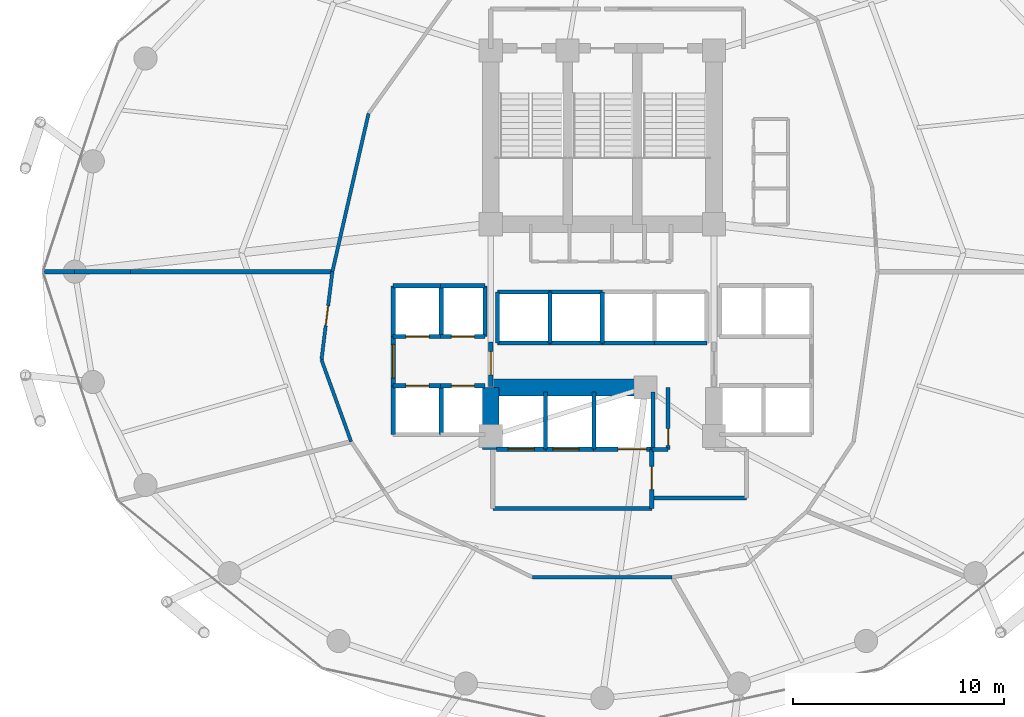
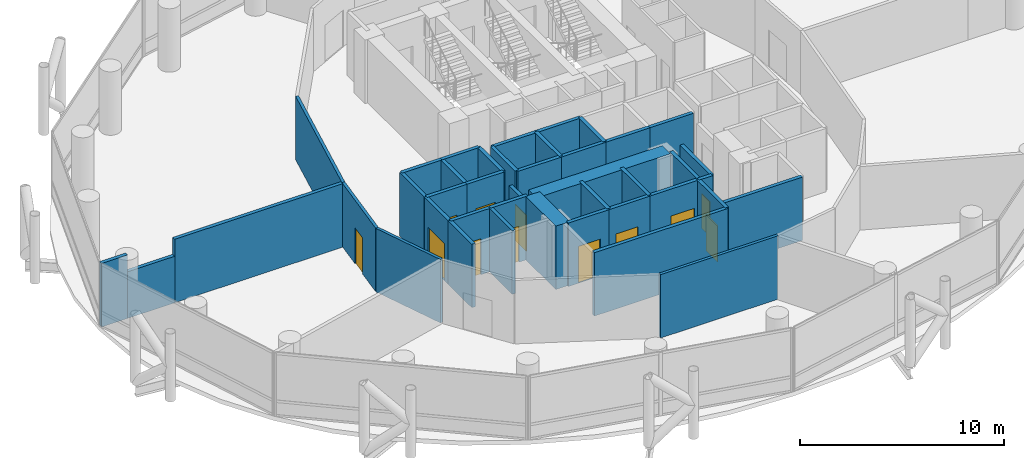
# One storey, part 21 of 24: 42 walls, 12 doors, 12 openings.
"""IFC4 building model written with IfcOpenShell, lengths in metres."""

import ifcopenshell
import ifcopenshell.guid

model = None  # the IFC model being written
_history = None  # IfcOwnerHistory: only IFC2X3 demands one
_inside = {}  # id of a spatial element -> (the spatial element, [elements in it])
_under = {}  # id of a project, library or spatial element -> (it, [spatial elements below it])
_declared = {}  # id of a project -> (the project, [libraries it declares])
_typed = {}  # id of a type object -> (the type object, [elements of that type])
_made_of = {}  # id of a material, layer set ... -> (it, [elements and type objects made of it])


def new_model(schema):
    """Start an empty IFC model of exactly this schema.

    Asked for "IFC4X3", IfcOpenShell would pick the latest addendum, in which some entities
    have other attributes; the version numbers below select the first issue.
    IFC2X3 requires an IfcOwnerHistory on every rooted entity: one is made here for all.
    """
    global model, _history
    if schema == "IFC4X3":
        model = ifcopenshell.file(schema_version=(4, 3, 0, 0))
    else:
        model = ifcopenshell.file(schema=schema)
    _inside.clear()
    _under.clear()
    _declared.clear()
    _typed.clear()
    _made_of.clear()
    _history = None
    if model.schema == "IFC2X3":
        org = make("IfcOrganization", Name="unknown")
        user = make(
            "IfcPersonAndOrganization",
            ThePerson=make("IfcPerson", FamilyName="unknown"),
            TheOrganization=org,
        )
        app = make(
            "IfcApplication",
            ApplicationDeveloper=org,
            Version="unknown",
            ApplicationFullName="unknown",
            ApplicationIdentifier="unknown",
        )
        _history = make(
            "IfcOwnerHistory",
            OwningUser=user,
            OwningApplication=app,
            ChangeAction="ADDED",
            CreationDate=0,
        )
    return model


def make(cls, **values):
    """One entity of the class cls with the attributes given. An attribute that is None is left unset."""
    return model.create_entity(
        cls, **{name: value for name, value in values.items() if value is not None}
    )


def rooted(cls, **values):
    """An entity with a GlobalId (a new one), such as an element, a storey or a relation."""
    return make(cls, GlobalId=ifcopenshell.guid.new(), OwnerHistory=_history, **values)


def si_unit(unit_type, name, prefix=None):
    """IfcSIUnit, for example si_unit("LENGTHUNIT", "METRE", prefix="MILLI")."""
    return make("IfcSIUnit", UnitType=unit_type, Prefix=prefix, Name=name)


def assignment(units):
    """IfcUnitAssignment: the units of a project."""
    return None if units is None else make("IfcUnitAssignment", Units=units)


def point(xyz):
    """IfcCartesianPoint."""
    return None if xyz is None else make("IfcCartesianPoint", Coordinates=xyz)


def direction(xyz):
    """IfcDirection."""
    return None if xyz is None else make("IfcDirection", DirectionRatios=xyz)


def frame(location, z_axis=None, x_axis=None):
    """IfcAxis2Placement3D, a coordinate frame: its origin and axes. An axis left out is left unset."""
    return make(
        "IfcAxis2Placement3D",
        Location=point(location),
        Axis=direction(z_axis),
        RefDirection=direction(x_axis),
    )


def frame_2d(location, x_axis=None):
    """IfcAxis2Placement2D, a coordinate frame in the plane: its origin and x axis."""
    return make(
        "IfcAxis2Placement2D", Location=point(location), RefDirection=direction(x_axis)
    )


def origin():
    """The frame at (0, 0, 0) with its axes left unset."""
    return frame((0.0, 0.0, 0.0))


def place(relative_to, where):
    """IfcLocalPlacement: puts the frame where relative to a parent placement (None: the world)."""
    return make(
        "IfcLocalPlacement", PlacementRelTo=relative_to, RelativePlacement=where
    )


def context(
    kind, dimensions, precision=None, world=None, true_north=None, identifier=None
):
    """IfcGeometricRepresentationContext, for example the 3D "Model" context."""
    return make(
        "IfcGeometricRepresentationContext",
        ContextIdentifier=identifier,
        ContextType=kind,
        CoordinateSpaceDimension=dimensions,
        Precision=precision,
        WorldCoordinateSystem=world,
        TrueNorth=true_north,
    )


def subcontext(parent, identifier, kind, view, scale=None):
    """IfcGeometricRepresentationSubContext, for example "Body" below "Model"."""
    return make(
        "IfcGeometricRepresentationSubContext",
        ContextIdentifier=identifier,
        ContextType=kind,
        ParentContext=parent,
        TargetScale=scale,
        TargetView=view,
    )


def project(units=None, contexts=None):
    """IfcProject with its units and contexts."""
    return rooted(
        "IfcProject",
        Name="project",
        RepresentationContexts=contexts,
        UnitsInContext=assignment(units),
    )


def spatial(cls, under=None, at=None, **own):
    """A site, building, storey or space (cls), placed at a placement, below another one or the project."""
    s = rooted(cls, ObjectPlacement=at, **own)
    if under is not None:
        _under.setdefault(under.id(), (under, []))[1].append(s)
    return s


def profile(cls, at=None, kind="AREA", **sizes):
    """A parametric profile (cls). Its sizes go by their IFC names, for example OverallWidth=200.0."""
    return make(cls, ProfileType=kind, Position=at, **sizes)


def rectangle(**sizes):
    """IfcRectangleProfileDef."""
    return profile("IfcRectangleProfileDef", **sizes)


def extrude(swept, where, along, depth):
    """IfcExtrudedAreaSolid: the profile swept, set in the frame where, extruded along a direction by depth."""
    return make(
        "IfcExtrudedAreaSolid",
        SweptArea=swept,
        Position=where,
        ExtrudedDirection=direction(along),
        Depth=depth,
    )


def shape(context_of_items, identifier, shape_type, items):
    """IfcShapeRepresentation: the items that make up one representation, for example the "Body"."""
    return make(
        "IfcShapeRepresentation",
        ContextOfItems=context_of_items,
        RepresentationIdentifier=identifier,
        RepresentationType=shape_type,
        Items=items,
    )


def material(Name=None, Category=None):
    """IfcMaterial."""
    return make("IfcMaterial", Name=Name, Category=Category)


def layer(
    of_material, thickness, ventilated=None, Name=None, Category=None, Priority=None
):
    """IfcMaterialLayer: one layer of a wall or slab, of a material (None: an air gap)."""
    return make(
        "IfcMaterialLayer",
        Material=of_material,
        LayerThickness=thickness,
        IsVentilated=ventilated,
        Name=Name,
        Category=Category,
        Priority=Priority,
    )


def layer_set(layers, Name=None):
    """IfcMaterialLayerSet."""
    return make("IfcMaterialLayerSet", MaterialLayers=layers, LayerSetName=Name)


def made_of(thing, what):
    """Note that an element or type object is made of a material, layer set ...; save() writes the relation."""
    if what is not None:
        _made_of.setdefault(what.id(), (what, []))[1].append(thing)
    return thing


def type_object(cls, material=None, **own):
    """A type object (cls), such as IfcWallType, which elements share."""
    return made_of(rooted(cls, **own), material)


def element(
    cls,
    number,
    at=None,
    inside=None,
    cuts=None,
    type_object=None,
    material=None,
    context=None,
    identifier="Body",
    shape_type=None,
    held_by="IfcProductDefinitionShape",
    body=None,
    shapes=None,
    **own,
):
    """One element of the class cls, such as IfcWall. Its Tag is "e" and its number.

    at: its placement. inside: the storey or other place that contains it. cuts: it is an
    opening in that element (IfcRelVoidsElement). A single representation is given by context,
    identifier, shape_type and body (its items); several are given by shapes. held_by: the class
    of the entity that holds the representations. save() writes the other relations.
    """
    e = rooted(cls, Tag="e%d" % number, ObjectPlacement=at, **own)
    if body is not None:
        shapes = [shape(context, identifier, shape_type, body)]
    if shapes is not None:
        e.Representation = make(held_by, Representations=shapes)
    if inside is not None:
        _inside.setdefault(inside.id(), (inside, []))[1].append(e)
    if cuts is not None:
        rooted(
            "IfcRelVoidsElement", RelatingBuildingElement=cuts, RelatedOpeningElement=e
        )
    if type_object is not None:
        _typed.setdefault(type_object.id(), (type_object, []))[1].append(e)
    return made_of(e, material)


def fill(opening, filler):
    """IfcRelFillsElement: the door or window that sits in an opening."""
    return rooted(
        "IfcRelFillsElement",
        RelatingOpeningElement=opening,
        RelatedBuildingElement=filler,
    )


def aggregate(whole, parts):
    """IfcRelAggregates: a whole, such as a stair, and the parts it consists of."""
    return rooted("IfcRelAggregates", RelatingObject=whole, RelatedObjects=parts)


def save(model, path):
    """Write the relations noted so far, then the file.

    IfcRelAggregates (storeys below a building ...), IfcRelContainedInSpatialStructure (elements
    in a storey), IfcRelDefinesByType, IfcRelAssociatesMaterial and IfcRelDeclares: one each for
    every whole, place, type object, material and project.
    """
    for whole, parts in _under.values():
        aggregate(whole, parts)
    for where, things in _inside.values():
        rooted(
            "IfcRelContainedInSpatialStructure",
            RelatedElements=things,
            RelatingStructure=where,
        )
    for kind, things in _typed.values():
        rooted("IfcRelDefinesByType", RelatedObjects=things, RelatingType=kind)
    for what, things in _made_of.values():
        rooted("IfcRelAssociatesMaterial", RelatedObjects=things, RelatingMaterial=what)
    for by, libraries in _declared.values():
        rooted("IfcRelDeclares", RelatingContext=by, RelatedDefinitions=libraries)
    model.write(path)


model = new_model("IFC4")

# Units and contexts
model_context = context("Model", 3, precision=1e-05, world=origin(), true_north=direction((0.0, 1.0)))
body_context = subcontext(model_context, "Body", "Model", "MODEL_VIEW")
ifc_project = project(units=[si_unit("LENGTHUNIT", "METRE"), si_unit("AREAUNIT", "SQUARE_METRE"), si_unit("VOLUMEUNIT", "CUBIC_METRE"), si_unit("PLANEANGLEUNIT", "RADIAN"), si_unit("MASSUNIT", "GRAM", prefix="KILO")], contexts=[model_context])

# Site, building, storey
site_placement = place(None, origin())
site = spatial("IfcSite", under=ifc_project, at=site_placement, CompositionType="ELEMENT")
building_placement = place(site_placement, origin())
building = spatial("IfcBuilding", under=site, at=building_placement, Name="Nuhasar Tower", CompositionType="ELEMENT")
storey_placement = place(building_placement, frame((0.0, 0.0, 25.050048828125)))
storey = spatial("IfcBuildingStorey", under=building, at=storey_placement, Name="L05", CompositionType="ELEMENT", Elevation=25.050048828125)

# Walls
ifc_material_1 = material(Name="Concrete C80/95", Category="concrete")
ifc_layer_1 = layer(ifc_material_1, 0.800048828125)
ifc_layer_set_1 = layer_set([ifc_layer_1], Name="Concrete C80/95")
wall_type_1 = type_object("IfcWallType", Name="WL-CORE-800", PredefinedType="SHEAR", material=ifc_layer_set_1)
wall_1_placement = place(storey_placement, frame((33.699951171875, 18.35009765625, 0.0), z_axis=(0.0, 0.0, 1.0), x_axis=(0.0, 1.0, 0.0)))
element("IfcWall", 1, at=wall_1_placement, inside=storey, type_object=wall_type_1, Name="L05 Core Shear Wall CW-SW CW-800", PredefinedType="SHEAR", context=body_context, shape_type="SweptSolid", body=[
    extrude(rectangle(XDim=2.949951171875, YDim=0.800048828125, at=frame_2d((1.47509765625, 0.0))), origin(), (0.0, 0.0, 1.0), 3.7900390625),
])
wall_2_placement = place(storey_placement, frame((33.699951171875, 21.300048828125, 0.0), z_axis=(0.0, 0.0, 1.0), x_axis=(1.0, 0.0, 0.0)))
element("IfcWall", 2, at=wall_2_placement, inside=storey, type_object=wall_type_1, Name="L05 Core Shear Wall CW-S1 CW-800", PredefinedType="SHEAR", context=body_context, shape_type="SweptSolid", body=[
    extrude(rectangle(XDim=7.550048828125, YDim=0.800048828125, at=frame_2d((3.77490234375, 0.0))), origin(), (0.0, 0.0, 1.0), 3.7900390625),
])
ifc_material_2 = material(Name="Gypsum Board", Category="gypsum")
ifc_layer_2 = layer(ifc_material_2, 0.159912109375)
ifc_layer_set_2 = layer_set([ifc_layer_2], Name="Gypsum Board")
wall_type_2 = type_object("IfcWallType", Name="WL-CORR-160", PredefinedType="PARTITIONING", material=ifc_layer_set_2)
wall_3_placement = place(storey_placement, frame((27.89794921875, 34.31005859375, 0.0), z_axis=(0.0, 0.0, 1.0), x_axis=(-0.223002916051, -0.974817777553, 0.0)))
element("IfcWall", 3, at=wall_3_placement, inside=storey, type_object=wall_type_2, Name="L05 Interior Partition CORR-20", PredefinedType="PARTITIONING", context=body_context, shape_type="SweptSolid", body=[
    extrude(rectangle(XDim=7.7041015625, YDim=0.159912109375, at=frame_2d((3.85205078125, 0.0))), origin(), (0.0, 0.0, 1.0), 3.7900390625),
])

# Wall, opening, door
wall_4_placement = place(storey_placement, frame((25.6630859375, 22.614013671875, 0.0), z_axis=(0.0, 0.0, 1.0), x_axis=(0.122538537921, 0.992463755874, 0.0)))
wall_4 = element("IfcWall", 4, at=wall_4_placement, inside=storey, type_object=wall_type_2, Name="L05 Interior Partition CORR-24", PredefinedType="PARTITIONING", context=body_context, shape_type="SweptSolid", body=[
    extrude(rectangle(XDim=4.2177734375, YDim=0.159912109375, at=frame_2d((2.10888671875, 0.0))), origin(), (0.0, 0.0, 1.0), 3.7900390625),
])
opening_1_placement = place(wall_4_placement, frame((1.634033203125, 0.0, 0.0)))
opening_1 = element("IfcOpeningElement", 5, at=opening_1_placement, cuts=wall_4, Name="Opening DO-01", PredefinedType="OPENING", context=body_context, shape_type="SweptSolid", body=[
    extrude(rectangle(XDim=0.949951171875, YDim=2.14990234375, at=frame_2d((0.47509765625, 1.074951171875))), frame((0.0, 0.08984375, 0.0), z_axis=(0.0, -1.0, 0.0), x_axis=(1.0, 0.0, 0.0)), (0.0, 0.0, 1.0), 0.179931640625),
])
ifc_material_3 = material(Name="Timber Oak", Category="wood")
door_type_1 = type_object("IfcDoorType", Name="DR-OFFICE-FD30-950", OperationType="NOTDEFINED", PredefinedType="DOOR", material=ifc_material_3)
door_1_placement = place(opening_1_placement, origin())
door_1 = element("IfcDoor", 6, at=door_1_placement, inside=storey, type_object=door_type_1, Name="L05 Staff Bistro Pantry Entry Door", OperationType="SINGLE_SWING_LEFT", OverallHeight=2.14990234375, OverallWidth=0.949951171875, PredefinedType="DOOR", context=body_context, shape_type="SweptSolid", body=[
    extrude(rectangle(XDim=0.949951171875, YDim=2.14990234375, at=frame_2d((0.47509765625, 1.074951171875))), frame((0.0, 0.02490234375, 0.0), z_axis=(0.0, -1.0, 0.0), x_axis=(1.0, 0.0, 0.0)), (0.0, 0.0, 1.0), 0.050048828125),
])
fill(opening_1, door_1)

# Walls
wall_5_placement = place(storey_placement, frame((25.6630859375, 22.614013671875, 0.0), z_axis=(0.0, 0.0, 1.0), x_axis=(0.34058972089, -0.940212019719, 0.0)))
element("IfcWall", 7, at=wall_5_placement, inside=storey, type_object=wall_type_2, Name="L05 Interior Partition CORR-26", PredefinedType="PARTITIONING", context=body_context, shape_type="SweptSolid", body=[
    extrude(rectangle(XDim=4.131103515625, YDim=0.159912109375, at=frame_2d((2.0654296875, 0.0))), origin(), (0.0, 0.0, 1.0), 3.7900390625),
])
wall_6_placement = place(storey_placement, frame((35.681884765625, 12.2919921875, 0.0), z_axis=(0.0, 0.0, 1.0), x_axis=(1.0, 0.0, 0.0)))
element("IfcWall", 8, at=wall_6_placement, inside=storey, type_object=wall_type_2, Name="L05 Interior Partition CORR-34", PredefinedType="PARTITIONING", context=body_context, shape_type="SweptSolid", body=[
    extrude(rectangle(XDim=6.63623046875, YDim=0.159912109375, at=frame_2d((3.318115234375, 0.0))), origin(), (0.0, 0.0, 1.0), 3.7900390625),
])

# Wall, opening, door
ifc_material_4 = material(Name="Concrete C45/55", Category="concrete")
ifc_layer_3 = layer(ifc_material_4, 0.199951171875)
ifc_layer_set_3 = layer_set([ifc_layer_3], Name="Concrete C45/55")
wall_type_3 = type_object("IfcWallType", Name="WL-LOBBY-200", PredefinedType="SOLIDWALL", material=ifc_layer_set_3)
wall_7_placement = place(storey_placement, frame((29.070068359375, 21.3798828125, 0.0), z_axis=(0.0, 0.0, 1.0), x_axis=(0.0, 1.0, 0.0)))
wall_7 = element("IfcWall", 9, at=wall_7_placement, inside=storey, type_object=wall_type_3, Name="L05 Interior Partition LLBL-W", PredefinedType="SOLIDWALL", context=body_context, shape_type="SweptSolid", body=[
    extrude(rectangle(XDim=2.340087890625, YDim=0.199951171875, at=frame_2d((1.169921875, 0.0))), origin(), (0.0, 0.0, 1.0), 3.7900390625),
])
opening_2_placement = place(wall_7_placement, frame((0.3701171875, 0.0, 0.0)))
opening_2 = element("IfcOpeningElement", 10, at=opening_2_placement, cuts=wall_7, Name="Opening DC-01", PredefinedType="OPENING", context=body_context, shape_type="SweptSolid", body=[
    extrude(rectangle(XDim=1.60009765625, YDim=2.199951171875, at=frame_2d((0.800048828125, 1.10009765625))), frame((0.0, 0.10986328125, 0.0), z_axis=(0.0, -1.0, 0.0), x_axis=(1.0, 0.0, 0.0)), (0.0, 0.0, 1.0), 0.219970703125),
])
ifc_material_5 = material(Name="Steel S355", Category="steel")
door_type_2 = type_object("IfcDoorType", Name="DR-CORR-FD60-1600", OperationType="DOUBLE_DOOR_SINGLE_SWING", PredefinedType="DOOR", material=ifc_material_5)
door_2_placement = place(opening_2_placement, origin())
door_2 = element("IfcDoor", 11, at=door_2_placement, inside=storey, type_object=door_type_2, Name="L05 Low-Rise Lift Lobby West Entry", OperationType="DOUBLE_DOOR_SINGLE_SWING", OverallHeight=2.199951171875, OverallWidth=1.60009765625, PredefinedType="DOOR", context=body_context, shape_type="SweptSolid", body=[
    extrude(rectangle(XDim=1.60009765625, YDim=2.199951171875, at=frame_2d((0.800048828125, 1.10009765625))), frame((0.0, 0.02490234375, 0.0), z_axis=(0.0, -1.0, 0.0), x_axis=(1.0, 0.0, 0.0)), (0.0, 0.0, 1.0), 0.050048828125),
])
fill(opening_2, door_2)

wall_8_placement = place(storey_placement, frame((33.699951171875, 21.35009765625, 0.0), z_axis=(0.0, 0.0, 1.0), x_axis=(0.0, 1.0, 0.0)))
wall_8 = element("IfcWall", 12, at=wall_8_placement, inside=storey, type_object=wall_type_3, Name="L05 Interior Partition LLBH-W", PredefinedType="SOLIDWALL", context=body_context, shape_type="SweptSolid", body=[
    extrude(rectangle(XDim=2.099853515625, YDim=0.199951171875, at=frame_2d((1.0498046875, 0.0))), origin(), (0.0, 0.0, 1.0), 3.010009765625),
])
opening_3_placement = place(wall_8_placement, frame((0.550048828125, 0.0, 0.0)))
opening_3 = element("IfcOpeningElement", 13, at=opening_3_placement, cuts=wall_8, Name="Opening DS-02", PredefinedType="OPENING", context=body_context, shape_type="SweptSolid", body=[
    extrude(rectangle(XDim=1.10009765625, YDim=2.14990234375, at=frame_2d((0.550048828125, 1.074951171875))), frame((0.0, 0.10986328125, 0.0), z_axis=(0.0, -1.0, 0.0), x_axis=(1.0, 0.0, 0.0)), (0.0, 0.0, 1.0), 0.219970703125),
])
door_type_3 = type_object("IfcDoorType", Name="DR-FFL-FD120-1100", OperationType="NOTDEFINED", PredefinedType="DOOR", material=ifc_material_5)
door_3_placement = place(opening_3_placement, origin())
door_3 = element("IfcDoor", 14, at=door_3_placement, inside=storey, type_object=door_type_3, Name="L05 High-Rise Lobby West Door", OperationType="SINGLE_SWING_RIGHT", OverallHeight=2.14990234375, OverallWidth=1.10009765625, PredefinedType="DOOR", context=body_context, shape_type="SweptSolid", body=[
    extrude(rectangle(XDim=1.10009765625, YDim=2.14990234375, at=frame_2d((0.550048828125, 1.074951171875))), frame((0.0, 0.02490234375, 0.0), z_axis=(0.0, -1.0, 0.0), x_axis=(1.0, 0.0, 0.0)), (0.0, 0.0, 1.0), 0.050048828125),
])
fill(opening_3, door_3)

# Wall
wall_9_placement = place(storey_placement, frame((33.800048828125, 15.550048828125, 0.0), z_axis=(0.0, 0.0, 1.0), x_axis=(1.0, 0.0, 0.0)))
element("IfcWall", 15, at=wall_9_placement, inside=storey, type_object=wall_type_3, Name="L05 Interior Partition FFL-S", PredefinedType="SOLIDWALL", context=body_context, shape_type="SweptSolid", body=[
    extrude(rectangle(XDim=7.550048828125, YDim=0.199951171875, at=frame_2d((3.77490234375, 0.0))), origin(), (0.0, 0.0, 1.0), 3.7900390625),
])

# Wall, opening, door
wall_10_placement = place(storey_placement, frame((41.35009765625, 15.550048828125, 0.0), z_axis=(0.0, 0.0, 1.0), x_axis=(0.0, 1.0, 0.0)))
wall_10 = element("IfcWall", 16, at=wall_10_placement, inside=storey, type_object=wall_type_3, Name="L05 Interior Partition FFL-E", PredefinedType="SOLIDWALL", context=body_context, shape_type="SweptSolid", body=[
    extrude(rectangle(XDim=2.800048828125, YDim=0.199951171875, at=frame_2d((1.39990234375, 0.0))), origin(), (0.0, 0.0, 1.0), 3.7900390625),
])
opening_4_placement = place(wall_10_placement, frame((0.89990234375, 0.0, 0.0)))
opening_4 = element("IfcOpeningElement", 17, at=opening_4_placement, cuts=wall_10, Name="Opening DS-02", PredefinedType="OPENING", context=body_context, shape_type="SweptSolid", body=[
    extrude(rectangle(XDim=1.10009765625, YDim=2.14990234375, at=frame_2d((0.550048828125, 1.074951171875))), frame((0.0, 0.10986328125, 0.0), z_axis=(0.0, -1.0, 0.0), x_axis=(1.0, 0.0, 0.0)), (0.0, 0.0, 1.0), 0.219970703125),
])
door_4_placement = place(opening_4_placement, origin())
door_4 = element("IfcDoor", 18, at=door_4_placement, inside=storey, type_object=door_type_3, Name="L05 Firefighting Lobby Door", OperationType="SINGLE_SWING_RIGHT", OverallHeight=2.14990234375, OverallWidth=1.10009765625, PredefinedType="DOOR", context=body_context, shape_type="SweptSolid", body=[
    extrude(rectangle(XDim=1.10009765625, YDim=2.14990234375, at=frame_2d((0.550048828125, 1.074951171875))), frame((0.0, 0.02490234375, 0.0), z_axis=(0.0, -1.0, 0.0), x_axis=(1.0, 0.0, 0.0)), (0.0, 0.0, 1.0), 0.050048828125),
])
fill(opening_4, door_4)

# Wall
wall_11_placement = place(storey_placement, frame((41.35009765625, 16.050048828125, 0.0), z_axis=(0.0, 0.0, 1.0), x_axis=(1.0, 0.0, 0.0)))
element("IfcWall", 19, at=wall_11_placement, inside=storey, type_object=wall_type_3, Name="L05 Interior Partition SVLV-S", PredefinedType="SOLIDWALL", context=body_context, shape_type="SweptSolid", body=[
    extrude(rectangle(XDim=4.5, YDim=0.199951171875, at=frame_2d((2.25, 0.0))), origin(), (0.0, 0.0, 1.0), 3.7900390625),
])

# Wall, opening, door
ifc_layer_4 = layer(ifc_material_4, 0.199951171875)
ifc_layer_set_4 = layer_set([ifc_layer_4], Name="Concrete C45/55")
wall_type_4 = type_object("IfcWallType", Name="WL-SHAFT-200", PredefinedType="SOLIDWALL", material=ifc_layer_set_4)
wall_12_placement = place(storey_placement, frame((29.070068359375, 23.719970703125, 0.0), z_axis=(0.0, 0.0, 1.0), x_axis=(1.0, 0.0, 0.0)))
wall_12 = element("IfcWall", 20, at=wall_12_placement, inside=storey, type_object=wall_type_4, Name="L05 Interior Partition SHF-PL-L01-S", PredefinedType="SOLIDWALL", context=body_context, shape_type="SweptSolid", body=[
    extrude(rectangle(XDim=2.309814453125, YDim=0.199951171875, at=frame_2d((1.15478515625, 0.0))), origin(), (0.0, 0.0, 1.0), 3.7900390625),
])
opening_5_placement = place(wall_12_placement, frame((0.60498046875, 0.0, 0.0)))
opening_5 = element("IfcOpeningElement", 21, at=opening_5_placement, cuts=wall_12, Name="Opening LD-L01", PredefinedType="OPENING", context=body_context, shape_type="SweptSolid", body=[
    extrude(rectangle(XDim=1.10009765625, YDim=2.14990234375, at=frame_2d((0.550048828125, 1.074951171875))), frame((0.0, 0.10986328125, 0.0), z_axis=(0.0, -1.0, 0.0), x_axis=(1.0, 0.0, 0.0)), (0.0, 0.0, 1.0), 0.219970703125),
])
ifc_material_6 = material(Name="Stainless Steel 316L", Category="steel")
door_type_4 = type_object("IfcDoorType", Name="LD-PAX-1100", OperationType="DOUBLE_DOOR_SLIDING", PredefinedType="DOOR", material=ifc_material_6)
door_5_placement = place(opening_5_placement, origin())
door_5 = element("IfcDoor", 22, at=door_5_placement, inside=storey, type_object=door_type_4, Name="L05 Lift Landing Door PL-L01", OperationType="DOUBLE_DOOR_SLIDING", OverallHeight=2.14990234375, OverallWidth=1.10009765625, PredefinedType="DOOR", context=body_context, shape_type="SweptSolid", body=[
    extrude(rectangle(XDim=1.10009765625, YDim=2.14990234375, at=frame_2d((0.550048828125, 1.074951171875))), frame((0.0, 0.02490234375, 0.0), z_axis=(0.0, -1.0, 0.0), x_axis=(1.0, 0.0, 0.0)), (0.0, 0.0, 1.0), 0.050048828125),
])
fill(opening_5, door_5)

# Walls
wall_13_placement = place(storey_placement, frame((29.070068359375, 26.1298828125, 0.0), z_axis=(0.0, 0.0, 1.0), x_axis=(1.0, 0.0, 0.0)))
element("IfcWall", 23, at=wall_13_placement, inside=storey, type_object=wall_type_4, Name="L05 Interior Partition SHF-PL-L01-N", PredefinedType="SOLIDWALL", context=body_context, shape_type="SweptSolid", body=[
    extrude(rectangle(XDim=2.309814453125, YDim=0.199951171875, at=frame_2d((1.15478515625, 0.0))), origin(), (0.0, 0.0, 1.0), 3.7900390625),
])
for number, where, z_axis, x_axis, name in (
    (24, (29.070068359375, 23.719970703125, 0.0), (0.0, 0.0, 1.0), (0.0, 1.0, 0.0), "L05 Interior Partition SHF-PL-L01-W"),
    (25, (31.35009765625, 23.719970703125, 0.0), (0.0, 0.0, 1.0), (0.0, 1.0, 0.0), "L05 Interior Partition SHF-PL-L01-E"),
):
    element("IfcWall", number, at=place(storey_placement, frame(where, z_axis=z_axis, x_axis=x_axis)), inside=storey, type_object=wall_type_4, Name=name, PredefinedType="SOLIDWALL", context=body_context, shape_type="SweptSolid", body=[
        extrude(rectangle(XDim=2.409912109375, YDim=0.199951171875, at=frame_2d((1.205078125, 0.0))), origin(), (0.0, 0.0, 1.0), 3.7900390625),
    ])

# Wall, opening, door
wall_14_placement = place(storey_placement, frame((31.320068359375, 23.719970703125, 0.0), z_axis=(0.0, 0.0, 1.0), x_axis=(1.0, 0.0, 0.0)))
wall_14 = element("IfcWall", 26, at=wall_14_placement, inside=storey, type_object=wall_type_4, Name="L05 Interior Partition SHF-PL-L02-S", PredefinedType="SOLIDWALL", context=body_context, shape_type="SweptSolid", body=[
    extrude(rectangle(XDim=2.10986328125, YDim=0.199951171875, at=frame_2d((1.054931640625, 0.0))), origin(), (0.0, 0.0, 1.0), 3.7900390625),
])
opening_6_placement = place(wall_14_placement, frame((0.5048828125, 0.0, 0.0)))
opening_6 = element("IfcOpeningElement", 27, at=opening_6_placement, cuts=wall_14, Name="Opening LD-L02", PredefinedType="OPENING", context=body_context, shape_type="SweptSolid", body=[
    extrude(rectangle(XDim=1.10009765625, YDim=2.14990234375, at=frame_2d((0.550048828125, 1.074951171875))), frame((0.0, 0.10986328125, 0.0), z_axis=(0.0, -1.0, 0.0), x_axis=(1.0, 0.0, 0.0)), (0.0, 0.0, 1.0), 0.219970703125),
])
door_6_placement = place(opening_6_placement, origin())
door_6 = element("IfcDoor", 28, at=door_6_placement, inside=storey, type_object=door_type_4, Name="L05 Lift Landing Door PL-L02", OperationType="DOUBLE_DOOR_SLIDING", OverallHeight=2.14990234375, OverallWidth=1.10009765625, PredefinedType="DOOR", context=body_context, shape_type="SweptSolid", body=[
    extrude(rectangle(XDim=1.10009765625, YDim=2.14990234375, at=frame_2d((0.550048828125, 1.074951171875))), frame((0.0, 0.02490234375, 0.0), z_axis=(0.0, -1.0, 0.0), x_axis=(1.0, 0.0, 0.0)), (0.0, 0.0, 1.0), 0.050048828125),
])
fill(opening_6, door_6)

# Walls
wall_15_placement = place(storey_placement, frame((31.320068359375, 26.1298828125, 0.0), z_axis=(0.0, 0.0, 1.0), x_axis=(1.0, 0.0, 0.0)))
element("IfcWall", 29, at=wall_15_placement, inside=storey, type_object=wall_type_4, Name="L05 Interior Partition SHF-PL-L02-N", PredefinedType="SOLIDWALL", context=body_context, shape_type="SweptSolid", body=[
    extrude(rectangle(XDim=2.10986328125, YDim=0.199951171875, at=frame_2d((1.054931640625, 0.0))), origin(), (0.0, 0.0, 1.0), 3.7900390625),
])
wall_16_placement = place(storey_placement, frame((33.429931640625, 23.719970703125, 0.0), z_axis=(0.0, 0.0, 1.0), x_axis=(0.0, 1.0, 0.0)))
element("IfcWall", 30, at=wall_16_placement, inside=storey, type_object=wall_type_4, Name="L05 Interior Partition SHF-PL-L02-E", PredefinedType="SOLIDWALL", context=body_context, shape_type="SweptSolid", body=[
    extrude(rectangle(XDim=2.409912109375, YDim=0.199951171875, at=frame_2d((1.205078125, 0.0))), origin(), (0.0, 0.0, 1.0), 3.7900390625),
])

# Wall, opening, door
wall_17_placement = place(storey_placement, frame((29.070068359375, 21.3798828125, 0.0), z_axis=(0.0, 0.0, 1.0), x_axis=(1.0, 0.0, 0.0)))
wall_17 = element("IfcWall", 31, at=wall_17_placement, inside=storey, type_object=wall_type_4, Name="L05 Interior Partition SHF-PL-L03-N", PredefinedType="SOLIDWALL", context=body_context, shape_type="SweptSolid", body=[
    extrude(rectangle(XDim=2.309814453125, YDim=0.199951171875, at=frame_2d((1.15478515625, 0.0))), origin(), (0.0, 0.0, 1.0), 3.7900390625),
])
opening_7_placement = place(wall_17_placement, frame((0.60498046875, 0.0, 0.0)))
opening_7 = element("IfcOpeningElement", 32, at=opening_7_placement, cuts=wall_17, Name="Opening LD-L03", PredefinedType="OPENING", context=body_context, shape_type="SweptSolid", body=[
    extrude(rectangle(XDim=1.10009765625, YDim=2.14990234375, at=frame_2d((0.550048828125, 1.074951171875))), frame((0.0, 0.10986328125, 0.0), z_axis=(0.0, -1.0, 0.0), x_axis=(1.0, 0.0, 0.0)), (0.0, 0.0, 1.0), 0.219970703125),
])
door_7_placement = place(opening_7_placement, origin())
door_7 = element("IfcDoor", 33, at=door_7_placement, inside=storey, type_object=door_type_4, Name="L05 Lift Landing Door PL-L03", OperationType="DOUBLE_DOOR_SLIDING", OverallHeight=2.14990234375, OverallWidth=1.10009765625, PredefinedType="DOOR", context=body_context, shape_type="SweptSolid", body=[
    extrude(rectangle(XDim=1.10009765625, YDim=2.14990234375, at=frame_2d((0.550048828125, 1.074951171875))), frame((0.0, 0.02490234375, 0.0), z_axis=(0.0, -1.0, 0.0), x_axis=(1.0, 0.0, 0.0)), (0.0, 0.0, 1.0), 0.050048828125),
])
fill(opening_7, door_7)

# Walls
for number, where, z_axis, x_axis, name in (
    (34, (29.070068359375, 19.070068359375, 0.0), (0.0, 0.0, 1.0), (0.0, 1.0, 0.0), "L05 Interior Partition SHF-PL-L03-W"),
    (35, (31.35009765625, 19.070068359375, 0.0), (0.0, 0.0, 1.0), (0.0, 1.0, 0.0), "L05 Interior Partition SHF-PL-L03-E"),
):
    element("IfcWall", number, at=place(storey_placement, frame(where, z_axis=z_axis, x_axis=x_axis)), inside=storey, type_object=wall_type_4, Name=name, PredefinedType="SOLIDWALL", context=body_context, shape_type="SweptSolid", body=[
        extrude(rectangle(XDim=2.309814453125, YDim=0.199951171875, at=frame_2d((1.15478515625, 0.0))), origin(), (0.0, 0.0, 1.0), 3.7900390625),
    ])

# Wall, opening, door
wall_18_placement = place(storey_placement, frame((31.320068359375, 21.3798828125, 0.0), z_axis=(0.0, 0.0, 1.0), x_axis=(1.0, 0.0, 0.0)))
wall_18 = element("IfcWall", 36, at=wall_18_placement, inside=storey, type_object=wall_type_4, Name="L05 Interior Partition SHF-PL-L04-N", PredefinedType="SOLIDWALL", context=body_context, shape_type="SweptSolid", body=[
    extrude(rectangle(XDim=2.10986328125, YDim=0.199951171875, at=frame_2d((1.054931640625, 0.0))), origin(), (0.0, 0.0, 1.0), 3.7900390625),
])
opening_8_placement = place(wall_18_placement, frame((0.5048828125, 0.0, 0.0)))
opening_8 = element("IfcOpeningElement", 37, at=opening_8_placement, cuts=wall_18, Name="Opening LD-L04", PredefinedType="OPENING", context=body_context, shape_type="SweptSolid", body=[
    extrude(rectangle(XDim=1.10009765625, YDim=2.14990234375, at=frame_2d((0.550048828125, 1.074951171875))), frame((0.0, 0.10986328125, 0.0), z_axis=(0.0, -1.0, 0.0), x_axis=(1.0, 0.0, 0.0)), (0.0, 0.0, 1.0), 0.219970703125),
])
door_8_placement = place(opening_8_placement, origin())
door_8 = element("IfcDoor", 38, at=door_8_placement, inside=storey, type_object=door_type_4, Name="L05 Lift Landing Door PL-L04", OperationType="DOUBLE_DOOR_SLIDING", OverallHeight=2.14990234375, OverallWidth=1.10009765625, PredefinedType="DOOR", context=body_context, shape_type="SweptSolid", body=[
    extrude(rectangle(XDim=1.10009765625, YDim=2.14990234375, at=frame_2d((0.550048828125, 1.074951171875))), frame((0.0, 0.02490234375, 0.0), z_axis=(0.0, -1.0, 0.0), x_axis=(1.0, 0.0, 0.0)), (0.0, 0.0, 1.0), 0.050048828125),
])
fill(opening_8, door_8)

# Walls
for number, where, z_axis, x_axis, name in (
    (39, (34.02001953125, 23.419921875, 0.0), (0.0, 0.0, 1.0), (1.0, 0.0, 0.0), "L05 Interior Partition SHF-PL-H01-S"),
    (40, (34.02001953125, 25.830078125, 0.0), (0.0, 0.0, 1.0), (1.0, 0.0, 0.0), "L05 Interior Partition SHF-PL-H01-N"),
):
    element("IfcWall", number, at=place(storey_placement, frame(where, z_axis=z_axis, x_axis=x_axis)), inside=storey, type_object=wall_type_4, Name=name, PredefinedType="SOLIDWALL", context=body_context, shape_type="SweptSolid", body=[
        extrude(rectangle(XDim=2.5, YDim=0.199951171875, at=frame_2d((1.25, 0.0))), origin(), (0.0, 0.0, 1.0), 3.7900390625),
    ])
for number, where, z_axis, x_axis, name in (
    (41, (34.02001953125, 23.419921875, 0.0), (0.0, 0.0, 1.0), (0.0, 1.0, 0.0), "L05 Interior Partition SHF-PL-H01-W"),
    (42, (36.510009765625, 23.419921875, 0.0), (0.0, 0.0, 1.0), (0.0, 1.0, 0.0), "L05 Interior Partition SHF-PL-H01-E"),
):
    element("IfcWall", number, at=place(storey_placement, frame(where, z_axis=z_axis, x_axis=x_axis)), inside=storey, type_object=wall_type_4, Name=name, PredefinedType="SOLIDWALL", context=body_context, shape_type="SweptSolid", body=[
        extrude(rectangle(XDim=2.41015625, YDim=0.199951171875, at=frame_2d((1.205078125, 0.0))), origin(), (0.0, 0.0, 1.0), 3.7900390625),
    ])
for number, where, z_axis, x_axis, name in (
    (43, (36.5, 23.419921875, 0.0), (0.0, 0.0, 1.0), (1.0, 0.0, 0.0), "L05 Interior Partition SHF-PL-H02-S"),
    (44, (36.5, 25.830078125, 0.0), (0.0, 0.0, 1.0), (1.0, 0.0, 0.0), "L05 Interior Partition SHF-PL-H02-N"),
):
    element("IfcWall", number, at=place(storey_placement, frame(where, z_axis=z_axis, x_axis=x_axis)), inside=storey, type_object=wall_type_4, Name=name, PredefinedType="SOLIDWALL", context=body_context, shape_type="SweptSolid", body=[
        extrude(rectangle(XDim=2.5, YDim=0.199951171875, at=frame_2d((1.25, 0.0))), origin(), (0.0, 0.0, 1.0), 3.7900390625),
    ])
wall_19_placement = place(storey_placement, frame((38.989990234375, 23.419921875, 0.0), z_axis=(0.0, 0.0, 1.0), x_axis=(0.0, 1.0, 0.0)))
element("IfcWall", 45, at=wall_19_placement, inside=storey, type_object=wall_type_4, Name="L05 Interior Partition SHF-PL-H02-E", PredefinedType="SOLIDWALL", context=body_context, shape_type="SweptSolid", body=[
    extrude(rectangle(XDim=2.41015625, YDim=0.199951171875, at=frame_2d((1.205078125, 0.0))), origin(), (0.0, 0.0, 1.0), 3.7900390625),
])
for number, where, z_axis, x_axis, name in (
    (46, (38.97998046875, 23.419921875, 0.0), (0.0, 0.0, 1.0), (1.0, 0.0, 0.0), "L05 Interior Partition SHF-PL-H03-S"),
    (47, (41.4599609375, 23.419921875, 0.0), (0.0, 0.0, 1.0), (1.0, 0.0, 0.0), "L05 Interior Partition SHF-PL-H04-S"),
):
    element("IfcWall", number, at=place(storey_placement, frame(where, z_axis=z_axis, x_axis=x_axis)), inside=storey, type_object=wall_type_4, Name=name, PredefinedType="SOLIDWALL", context=body_context, shape_type="SweptSolid", body=[
        extrude(rectangle(XDim=2.5, YDim=0.199951171875, at=frame_2d((1.25, 0.0))), origin(), (0.0, 0.0, 1.0), 3.7900390625),
    ])

# Wall, opening, door
wall_20_placement = place(storey_placement, frame((33.969970703125, 18.3701171875, 0.0), z_axis=(0.0, 0.0, 1.0), x_axis=(1.0, 0.0, 0.0)))
wall_20 = element("IfcWall", 48, at=wall_20_placement, inside=storey, type_object=wall_type_4, Name="L05 Interior Partition SHF-FFL-01-S", PredefinedType="SOLIDWALL", context=body_context, shape_type="SweptSolid", body=[
    extrude(rectangle(XDim=2.360107421875, YDim=0.199951171875, at=frame_2d((1.18017578125, 0.0))), origin(), (0.0, 0.0, 1.0), 3.7900390625),
])
opening_9_placement = place(wall_20_placement, frame((0.554931640625, 0.0, 0.0)))
opening_9 = element("IfcOpeningElement", 49, at=opening_9_placement, cuts=wall_20, Name="Opening LD-F01", PredefinedType="OPENING", context=body_context, shape_type="SweptSolid", body=[
    extrude(rectangle(XDim=1.25, YDim=2.199951171875, at=frame_2d((0.625, 1.10009765625))), frame((0.0, 0.10986328125, 0.0), z_axis=(0.0, -1.0, 0.0), x_axis=(1.0, 0.0, 0.0)), (0.0, 0.0, 1.0), 0.219970703125),
])
door_type_5 = type_object("IfcDoorType", Name="LD-FFL-1250", OperationType="DOUBLE_DOOR_SLIDING", PredefinedType="DOOR", material=ifc_material_6)
door_9_placement = place(opening_9_placement, origin())
door_9 = element("IfcDoor", 50, at=door_9_placement, inside=storey, type_object=door_type_5, Name="L05 Lift Landing Door FFL-01", OperationType="DOUBLE_DOOR_SLIDING", OverallHeight=2.199951171875, OverallWidth=1.25, PredefinedType="DOOR", context=body_context, shape_type="SweptSolid", body=[
    extrude(rectangle(XDim=1.25, YDim=2.199951171875, at=frame_2d((0.625, 1.10009765625))), frame((0.0, 0.02490234375, 0.0), z_axis=(0.0, -1.0, 0.0), x_axis=(1.0, 0.0, 0.0)), (0.0, 0.0, 1.0), 0.050048828125),
])
fill(opening_9, door_9)

# Wall
wall_21_placement = place(storey_placement, frame((36.300048828125, 18.3701171875, 0.0), z_axis=(0.0, 0.0, 1.0), x_axis=(0.0, 1.0, 0.0)))
element("IfcWall", 51, at=wall_21_placement, inside=storey, type_object=wall_type_4, Name="L05 Interior Partition SHF-FFL-01-E", PredefinedType="SOLIDWALL", context=body_context, shape_type="SweptSolid", body=[
    extrude(rectangle(XDim=2.7099609375, YDim=0.199951171875, at=frame_2d((1.35498046875, 0.0))), origin(), (0.0, 0.0, 1.0), 3.7900390625),
])

# Wall, opening, door
wall_22_placement = place(storey_placement, frame((36.27001953125, 18.3701171875, 0.0), z_axis=(0.0, 0.0, 1.0), x_axis=(1.0, 0.0, 0.0)))
wall_22 = element("IfcWall", 52, at=wall_22_placement, inside=storey, type_object=wall_type_4, Name="L05 Interior Partition SHF-FFL-02-S", PredefinedType="SOLIDWALL", context=body_context, shape_type="SweptSolid", body=[
    extrude(rectangle(XDim=2.35986328125, YDim=0.199951171875, at=frame_2d((1.179931640625, 0.0))), origin(), (0.0, 0.0, 1.0), 3.7900390625),
])
opening_10_placement = place(wall_22_placement, frame((0.3798828125, 0.0, 0.0)))
opening_10 = element("IfcOpeningElement", 53, at=opening_10_placement, cuts=wall_22, Name="Opening LD-F02", PredefinedType="OPENING", context=body_context, shape_type="SweptSolid", body=[
    extrude(rectangle(XDim=1.25, YDim=2.199951171875, at=frame_2d((0.625, 1.10009765625))), frame((0.0, 0.10986328125, 0.0), z_axis=(0.0, -1.0, 0.0), x_axis=(1.0, 0.0, 0.0)), (0.0, 0.0, 1.0), 0.219970703125),
])
door_10_placement = place(opening_10_placement, origin())
door_10 = element("IfcDoor", 54, at=door_10_placement, inside=storey, type_object=door_type_5, Name="L05 Lift Landing Door FFL-02", OperationType="DOUBLE_DOOR_SLIDING", OverallHeight=2.199951171875, OverallWidth=1.25, PredefinedType="DOOR", context=body_context, shape_type="SweptSolid", body=[
    extrude(rectangle(XDim=1.25, YDim=2.199951171875, at=frame_2d((0.625, 1.10009765625))), frame((0.0, 0.02490234375, 0.0), z_axis=(0.0, -1.0, 0.0), x_axis=(1.0, 0.0, 0.0)), (0.0, 0.0, 1.0), 0.050048828125),
])
fill(opening_10, door_10)

# Wall
wall_23_placement = place(storey_placement, frame((38.60009765625, 18.3701171875, 0.0), z_axis=(0.0, 0.0, 1.0), x_axis=(0.0, 1.0, 0.0)))
element("IfcWall", 55, at=wall_23_placement, inside=storey, type_object=wall_type_4, Name="L05 Interior Partition SHF-FFL-02-E", PredefinedType="SOLIDWALL", context=body_context, shape_type="SweptSolid", body=[
    extrude(rectangle(XDim=2.7099609375, YDim=0.199951171875, at=frame_2d((1.35498046875, 0.0))), origin(), (0.0, 0.0, 1.0), 3.7900390625),
])

# Wall, opening, door
wall_24_placement = place(storey_placement, frame((38.570068359375, 18.3701171875, 0.0), z_axis=(0.0, 0.0, 1.0), x_axis=(1.0, 0.0, 0.0)))
wall_24 = element("IfcWall", 56, at=wall_24_placement, inside=storey, type_object=wall_type_4, Name="L05 Interior Partition SHF-SVL-01-S", PredefinedType="SOLIDWALL", context=body_context, shape_type="SweptSolid", body=[
    extrude(rectangle(XDim=2.829833984375, YDim=0.199951171875, at=frame_2d((1.4150390625, 0.0))), origin(), (0.0, 0.0, 1.0), 3.7900390625),
])
opening_11_placement = place(wall_24_placement, frame((1.179931640625, 0.0, 0.0)))
opening_11 = element("IfcOpeningElement", 57, at=opening_11_placement, cuts=wall_24, Name="Opening LD-S01", PredefinedType="OPENING", context=body_context, shape_type="SweptSolid", body=[
    extrude(rectangle(XDim=1.35009765625, YDim=2.179931640625, at=frame_2d((0.675048828125, 1.08984375))), frame((0.0, 0.10986328125, 0.0), z_axis=(0.0, -1.0, 0.0), x_axis=(1.0, 0.0, 0.0)), (0.0, 0.0, 1.0), 0.219970703125),
])
door_type_6 = type_object("IfcDoorType", Name="LD-SVL-1350", OperationType="DOUBLE_DOOR_SLIDING", PredefinedType="DOOR", material=ifc_material_6)
door_11_placement = place(opening_11_placement, origin())
door_11 = element("IfcDoor", 58, at=door_11_placement, inside=storey, type_object=door_type_6, Name="L05 Lift Landing Door SVL-01", OperationType="DOUBLE_DOOR_SLIDING", OverallHeight=2.179931640625, OverallWidth=1.35009765625, PredefinedType="DOOR", context=body_context, shape_type="SweptSolid", body=[
    extrude(rectangle(XDim=1.35009765625, YDim=2.179931640625, at=frame_2d((0.675048828125, 1.08984375))), frame((0.0, 0.02490234375, 0.0), z_axis=(0.0, -1.0, 0.0), x_axis=(1.0, 0.0, 0.0)), (0.0, 0.0, 1.0), 0.050048828125),
])
fill(opening_11, door_11)

# Wall
wall_25_placement = place(storey_placement, frame((41.39990234375, 18.3701171875, 0.0), z_axis=(0.0, 0.0, 1.0), x_axis=(0.0, 1.0, 0.0)))
element("IfcWall", 59, at=wall_25_placement, inside=storey, type_object=wall_type_4, Name="L05 Interior Partition SHF-SVL-01-E", PredefinedType="SOLIDWALL", context=body_context, shape_type="SweptSolid", body=[
    extrude(rectangle(XDim=2.7099609375, YDim=0.199951171875, at=frame_2d((1.35498046875, 0.0))), origin(), (0.0, 0.0, 1.0), 3.7900390625),
])

# Wall, opening, door
wall_26_placement = place(storey_placement, frame((42.1201171875, 18.35009765625, 0.0), z_axis=(0.0, 0.0, 1.0), x_axis=(0.0, 1.0, 0.0)))
wall_26 = element("IfcWall", 60, at=wall_26_placement, inside=storey, type_object=wall_type_4, Name="L05 Interior Partition RSR-E", PredefinedType="SOLIDWALL", context=body_context, shape_type="SweptSolid", body=[
    extrude(rectangle(XDim=2.949951171875, YDim=0.199951171875, at=frame_2d((1.47509765625, 0.0))), origin(), (0.0, 0.0, 1.0), 3.7900390625),
])
opening_12_placement = place(wall_26_placement, frame((0.199951171875, 0.0, 0.0)))
opening_12 = element("IfcOpeningElement", 61, at=opening_12_placement, cuts=wall_26, Name="Opening DM-01", PredefinedType="OPENING", context=body_context, shape_type="SweptSolid", body=[
    extrude(rectangle(XDim=0.800048828125, YDim=2.050048828125, at=frame_2d((0.39990234375, 1.02490234375))), frame((0.0, 0.10986328125, 0.0), z_axis=(0.0, -1.0, 0.0), x_axis=(1.0, 0.0, 0.0)), (0.0, 0.0, 1.0), 0.219970703125),
])
door_type_7 = type_object("IfcDoorType", Name="DR-RISER-FD60-800", OperationType="NOTDEFINED", PredefinedType="DOOR", material=ifc_material_5)
door_12_placement = place(opening_12_placement, origin())
door_12 = element("IfcDoor", 62, at=door_12_placement, inside=storey, type_object=door_type_7, Name="L05 MEP Riser Access Door", OperationType="SINGLE_SWING_LEFT", OverallHeight=2.050048828125, OverallWidth=0.800048828125, PredefinedType="DOOR", context=body_context, shape_type="SweptSolid", body=[
    extrude(rectangle(XDim=0.800048828125, YDim=2.050048828125, at=frame_2d((0.39990234375, 1.02490234375))), frame((0.0, 0.02490234375, 0.0), z_axis=(0.0, -1.0, 0.0), x_axis=(1.0, 0.0, 0.0)), (0.0, 0.0, 1.0), 0.050048828125),
])
fill(opening_12, door_12)

# Walls
wall_27_placement = place(storey_placement, frame((41.35009765625, 18.35009765625, 0.0), z_axis=(0.0, 0.0, 1.0), x_axis=(1.0, 0.0, 0.0)))
element("IfcWall", 63, at=wall_27_placement, inside=storey, type_object=wall_type_4, Name="L05 Interior Partition RSR-S", PredefinedType="SOLIDWALL", context=body_context, shape_type="SweptSolid", body=[
    extrude(rectangle(XDim=0.77001953125, YDim=0.199951171875, at=frame_2d((0.385009765625, 0.0))), origin(), (0.0, 0.0, 1.0), 3.7900390625),
])
ifc_material_7 = material(Name="Concrete C40/50 precast", Category="concrete")
ifc_layer_5 = layer(ifc_material_7, 0.199951171875)
ifc_layer_set_5 = layer_set([ifc_layer_5], Name="Concrete C40/50 precast")
wall_type_5 = type_object("IfcWallType", Name="WL-UNIT-200", PredefinedType="PARTITIONING", material=ifc_layer_set_5)
wall_28_placement = place(storey_placement, frame((26.179931640625, 26.800048828125, 0.0), z_axis=(0.0, 0.0, 1.0), x_axis=(-1.0, 0.0, 0.0)))
element("IfcWall", 64, at=wall_28_placement, inside=storey, type_object=wall_type_5, Name="L05 Interior Partition ORAD-24", PredefinedType="PARTITIONING", context=body_context, shape_type="SweptSolid", body=[
    extrude(rectangle(XDim=9.580810546875, YDim=0.199951171875, at=frame_2d((4.79052734375, 0.0))), origin(), (0.0, 0.0, 1.0), 3.7900390625),
])
wall_29_placement = place(storey_placement, frame((16.59912109375, 26.800048828125, 0.0), z_axis=(0.0, 0.0, 1.0), x_axis=(-1.0, 0.0, 0.0)))
element("IfcWall", 65, at=wall_29_placement, inside=storey, type_object=wall_type_5, Name="L05 Interior Partition ORAD-24", PredefinedType="PARTITIONING", context=body_context, shape_type="SweptSolid", body=[
    extrude(rectangle(XDim=2.66015625, YDim=0.199951171875, at=frame_2d((1.330078125, 0.0))), origin(), (0.0, 0.0, 1.0), 2.780029296875),
])
wall_30_placement = place(storey_placement, frame((13.93896484375, 26.800048828125, 0.0), z_axis=(0.0, 0.0, 1.0), x_axis=(-1.0, 0.0, 0.0)))
element("IfcWall", 66, at=wall_30_placement, inside=storey, type_object=wall_type_5, Name="L05 Interior Partition ORAD-24", PredefinedType="PARTITIONING", context=body_context, shape_type="SweptSolid", body=[
    extrude(rectangle(XDim=1.4638671875, YDim=0.199951171875, at=frame_2d((0.73193359375, 0.0))), origin(), (0.0, 0.0, 1.0), 3.7900390625),
])

save(model, "model.ifc")
